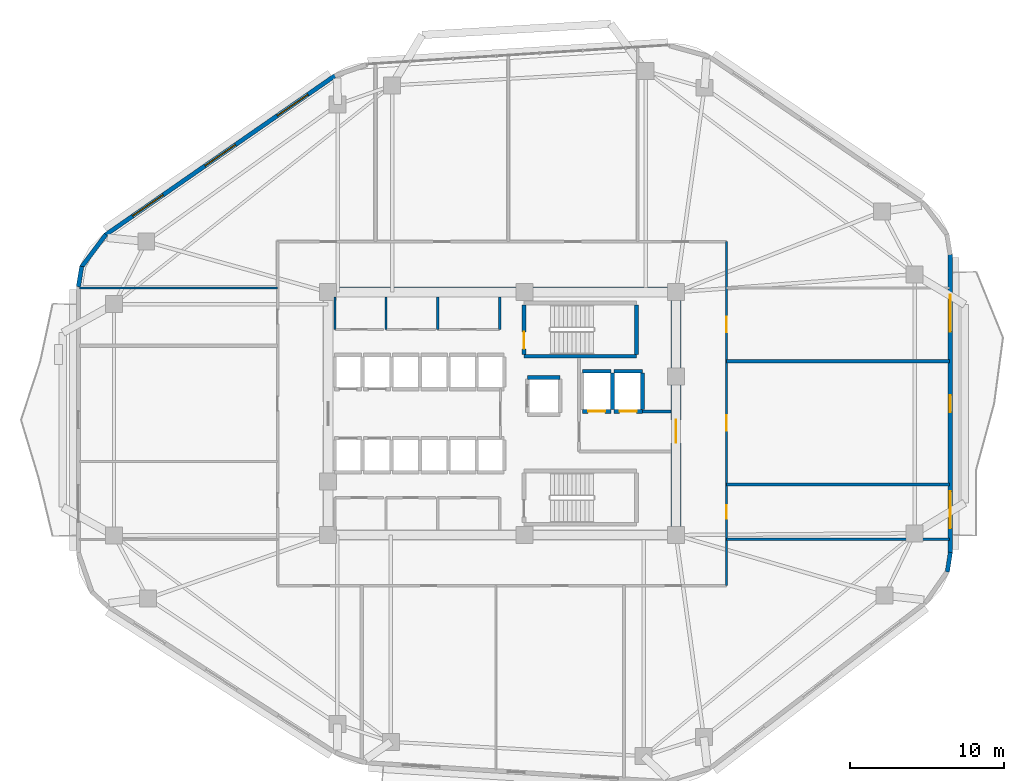
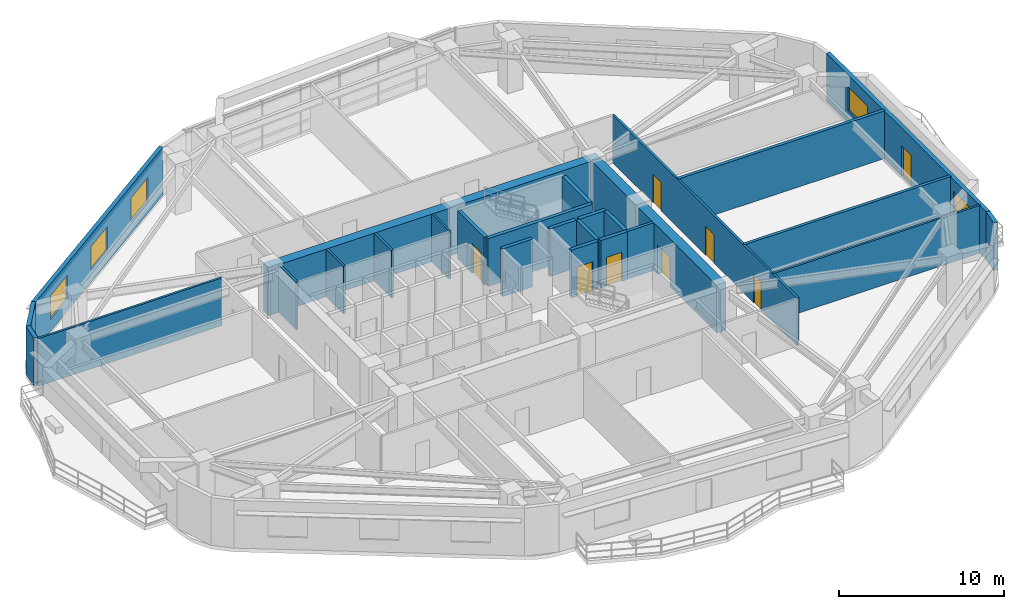
# One storey, part 9 of 13: 27 walls, 8 doors, 5 windows, 13 openings.
"""IFC4 building model written with IfcOpenShell, lengths in metres."""

from ifc_helpers import new_model, si_unit, direction, frame, frame_2d, origin, place, context, subcontext, project, spatial, rectangle, extrude, material, layer, layer_set, type_object, element, fill, save


model = new_model("IFC4")

# Units and contexts
model_context = context("Model", 3, precision=1e-05, world=origin(), true_north=direction((0.0, 1.0)))
body_context = subcontext(model_context, "Body", "Model", "MODEL_VIEW")
ifc_project = project(units=[si_unit("LENGTHUNIT", "METRE"), si_unit("AREAUNIT", "SQUARE_METRE"), si_unit("VOLUMEUNIT", "CUBIC_METRE"), si_unit("PLANEANGLEUNIT", "RADIAN"), si_unit("MASSUNIT", "GRAM", prefix="KILO")], contexts=[model_context])

# Site, building, storey
site_placement = place(None, origin())
site = spatial("IfcSite", under=ifc_project, at=site_placement, CompositionType="ELEMENT")
building_placement = place(site_placement, origin())
building = spatial("IfcBuilding", under=site, at=building_placement, Name="Zulverin Broadcast Headquarters", CompositionType="ELEMENT")
storey_placement = place(building_placement, frame((0.0, 0.0, 101.0)))
storey = spatial("IfcBuildingStorey", under=building, at=storey_placement, Name="L25", CompositionType="ELEMENT", Elevation=101.0)

# Walls
ifc_material_1 = material(Name="Acoustic drywall steel stud", Category="steel")
ifc_layer_1 = layer(ifc_material_1, 0.199951171875, Name="Acoustic drywall steel stud", Category="steel")
ifc_layer_set_1 = layer_set([ifc_layer_1], Name="Acoustic drywall steel stud")
wall_type_1 = type_object("IfcWallType", Name="WL-ACOU-200", PredefinedType="PARTITIONING", material=ifc_layer_set_1)
wall_1_placement = place(storey_placement, frame((51.550048828125, 20.60009765625, 0.0), z_axis=(0.0, 0.0, 1.0), x_axis=(1.0, 0.0, 0.0)))
element("IfcWall", 1, at=wall_1_placement, inside=storey, type_object=wall_type_1, Name="L25 Room Partition Wall RP-12", PredefinedType="PARTITIONING", context=body_context, shape_type="SweptSolid", body=[
    extrude(rectangle(XDim=14.445068359375, YDim=0.199951171875, at=frame_2d((7.22265625, 0.0))), origin(), (0.0, 0.0, 1.0), 3.52490234375),
])
ifc_material_2 = material(Name="Double-stud acoustic drywall", Category="gypsum")
ifc_layer_2 = layer(ifc_material_2, 0.219970703125, Name="Double-stud acoustic drywall", Category="gypsum")
ifc_layer_set_2 = layer_set([ifc_layer_2], Name="Double-stud acoustic drywall")
wall_type_2 = type_object("IfcWallType", Name="WL-ACOU-220", PredefinedType="PARTITIONING", material=ifc_layer_set_2)
wall_2_placement = place(storey_placement, frame((51.550048828125, 28.60009765625, 0.0), z_axis=(0.0, 0.0, 1.0), x_axis=(1.0, 0.0, 0.0)))
element("IfcWall", 2, at=wall_2_placement, inside=storey, type_object=wall_type_2, Name="L25 Room Partition Wall RP-14", PredefinedType="PARTITIONING", context=body_context, shape_type="SweptSolid", body=[
    extrude(rectangle(XDim=14.445068359375, YDim=0.219970703125, at=frame_2d((7.22265625, 0.0))), origin(), (0.0, 0.0, 1.0), 3.52490234375),
])
ifc_material_3 = material(Name="Concrete C60/75", Category="concrete")
ifc_layer_3 = layer(ifc_material_3, 0.64990234375, Name="Concrete C60/75", Category="concrete")
ifc_layer_set_3 = layer_set([ifc_layer_3], Name="Concrete C60/75")
wall_type_3 = type_object("IfcWallType", Name="WL-CORE-650", PredefinedType="SHEAR", material=ifc_layer_set_3)
wall_3_placement = place(storey_placement, frame((25.39990234375, 33.074951171875, 0.0), z_axis=(0.0, 0.0, 1.0), x_axis=(1.0, 0.0, 0.0)))
element("IfcWall", 3, at=wall_3_placement, inside=storey, type_object=wall_type_3, Name="L25 Core North Shear Wall", PredefinedType="SHEAR", context=body_context, shape_type="SweptSolid", body=[
    extrude(rectangle(XDim=23.2001953125, YDim=0.64990234375, at=frame_2d((11.60009765625, 0.0))), origin(), (0.0, 0.0, 1.0), 3.52490234375),
])

# Wall, opening, door
wall_4_placement = place(storey_placement, frame((48.27490234375, 17.64990234375, 0.0), z_axis=(0.0, 0.0, 1.0), x_axis=(0.0, 1.0, 0.0)))
wall_4 = element("IfcWall", 4, at=wall_4_placement, inside=storey, type_object=wall_type_3, Name="L25 Core East Shear Wall", PredefinedType="SHEAR", context=body_context, shape_type="SweptSolid", body=[
    extrude(rectangle(XDim=15.10009765625, YDim=0.64990234375, at=frame_2d((7.550048828125, 0.0))), origin(), (0.0, 0.0, 1.0), 3.52490234375),
])
opening_1_placement = place(wall_4_placement, frame((5.64990234375, 0.0, 0.0)))
opening_1 = element("IfcOpeningElement", 5, at=opening_1_placement, cuts=wall_4, Name="Opening D-L25-CE1", PredefinedType="OPENING", context=body_context, shape_type="SweptSolid", body=[
    extrude(rectangle(XDim=1.5, YDim=2.14990234375, at=frame_2d((0.75, 1.074951171875))), frame((0.0, 0.3349609375, 0.0), z_axis=(0.0, -1.0, 0.0), x_axis=(1.0, 0.0, 0.0)), (0.0, 0.0, 1.0), 0.669921875),
])
ifc_material_4 = material(Name="Fire-rated glazed steel frame", Category="steel")
door_type_1 = type_object("IfcDoorType", Name="DR-COR-1500", OperationType="DOUBLE_DOOR_SINGLE_SWING", PredefinedType="DOOR", material=ifc_material_4)
door_1_placement = place(opening_1_placement, origin())
door_1 = element("IfcDoor", 6, at=door_1_placement, inside=storey, type_object=door_type_1, Name="L25 Firefighting Lobby East Corridor Door", OperationType="DOUBLE_DOOR_SINGLE_SWING", OverallHeight=2.14990234375, OverallWidth=1.5, PredefinedType="DOOR", context=body_context, shape_type="SweptSolid", body=[
    extrude(rectangle(XDim=1.5, YDim=2.14990234375, at=frame_2d((0.75, 1.074951171875))), frame((0.0, 0.02490234375, 0.0), z_axis=(0.0, -1.0, 0.0), x_axis=(1.0, 0.0, 0.0)), (0.0, 0.0, 1.0), 0.050048828125),
])
fill(opening_1, door_1)

# Wall, openings, door, windows
ifc_material_5 = material(Name="Insulated pale-metal clad concrete spandrel C40/50", Category="concrete")
ifc_layer_4 = layer(ifc_material_5, 0.280029296875, Name="Insulated pale-metal clad concrete spandrel C40/50", Category="concrete")
ifc_layer_set_4 = layer_set([ifc_layer_4], Name="Insulated pale-metal clad concrete spandrel C40/50")
wall_type_4 = type_object("IfcWallType", Name="WL-EXT-280", PredefinedType="STANDARD", material=ifc_layer_set_4)
wall_5_placement = place(storey_placement, frame((66.06005859375, 16.183349609375, 0.0), z_axis=(0.0, 0.0, 1.0), x_axis=(0.0, 1.0, 0.0)))
wall_5 = element("IfcWall", 7, at=wall_5_placement, inside=storey, type_object=wall_type_4, Name="L25 Pale-Metal Clad Spandrel Wall 3", PredefinedType="STANDARD", context=body_context, shape_type="SweptSolid", body=[
    extrude(rectangle(XDim=19.3310546875, YDim=0.280029296875, at=frame_2d((9.66552734375, 0.0))), origin(), (0.0, 0.0, 1.0), 3.52490234375),
])
opening_2_placement = place(wall_5_placement, frame((9.115478515625, 0.0, 0.0)))
opening_2 = element("IfcOpeningElement", 8, at=opening_2_placement, cuts=wall_5, Name="Opening D-L25-TR3", PredefinedType="OPENING", context=body_context, shape_type="SweptSolid", body=[
    extrude(rectangle(XDim=1.10009765625, YDim=2.199951171875, at=frame_2d((0.550048828125, 1.10009765625))), frame((0.0, 0.14990234375, 0.0), z_axis=(0.0, -1.0, 0.0), x_axis=(1.0, 0.0, 0.0)), (0.0, 0.0, 1.0), 0.300048828125),
])
opening_3_placement = place(wall_5_placement, frame((1.5751953125, 0.0, 0.89990234375)))
opening_3 = element("IfcOpeningElement", 9, at=opening_3_placement, cuts=wall_5, Name="Opening W-L25-E31", PredefinedType="OPENING", context=body_context, shape_type="SweptSolid", body=[
    extrude(rectangle(XDim=2.39990234375, YDim=1.75, at=frame_2d((1.199951171875, 0.875))), frame((0.0, 0.14990234375, 0.0), z_axis=(0.0, -1.0, 0.0), x_axis=(1.0, 0.0, 0.0)), (0.0, 0.0, 1.0), 0.300048828125),
])
opening_4_placement = place(wall_5_placement, frame((14.325927734375, 0.0, 0.89990234375)))
opening_4 = element("IfcOpeningElement", 10, at=opening_4_placement, cuts=wall_5, Name="Opening W-L25-E32", PredefinedType="OPENING", context=body_context, shape_type="SweptSolid", body=[
    extrude(rectangle(XDim=2.39990234375, YDim=1.75, at=frame_2d((1.199951171875, 0.875))), frame((0.0, 0.14990234375, 0.0), z_axis=(0.0, -1.0, 0.0), x_axis=(1.0, 0.0, 0.0)), (0.0, 0.0, 1.0), 0.300048828125),
])
ifc_material_6 = material(Name="Thermally broken aluminium glazed", Category="aluminium")
door_type_2 = type_object("IfcDoorType", Name="DR-TERR-1100", OperationType="SINGLE_SWING_RIGHT", PredefinedType="DOOR", material=ifc_material_6)
door_2_placement = place(opening_2_placement, origin())
door_2 = element("IfcDoor", 11, at=door_2_placement, inside=storey, type_object=door_type_2, Name="L25 Planted Terrace Glazed Access Door 3", OperationType="SINGLE_SWING_RIGHT", OverallHeight=2.199951171875, OverallWidth=1.10009765625, PredefinedType="DOOR", context=body_context, shape_type="SweptSolid", body=[
    extrude(rectangle(XDim=1.10009765625, YDim=2.199951171875, at=frame_2d((0.550048828125, 1.10009765625))), frame((0.0, 0.02490234375, 0.0), z_axis=(0.0, -1.0, 0.0), x_axis=(1.0, 0.0, 0.0)), (0.0, 0.0, 1.0), 0.050048828125),
])
fill(opening_2, door_2)
ifc_material_7 = material(Name="Pale anodized aluminium frame with solar-control low-E double glazing", Category="aluminium")
window_type = type_object("IfcWindowType", Name="WIN-RIB-2400", PartitioningType="SINGLE_PANEL", PredefinedType="WINDOW", material=ifc_material_7)
window_1_placement = place(opening_3_placement, origin())
window_1 = element("IfcWindow", 12, at=window_1_placement, inside=storey, type_object=window_type, Name="L25 Ribbon Glazing Window 3 1", OverallHeight=1.75, OverallWidth=2.39990234375, PartitioningType="SINGLE_PANEL", PredefinedType="WINDOW", context=body_context, shape_type="SweptSolid", body=[
    extrude(rectangle(XDim=2.39990234375, YDim=1.75, at=frame_2d((1.199951171875, 0.875))), frame((0.0, 0.030029296875, 0.0), z_axis=(0.0, -1.0, 0.0), x_axis=(1.0, 0.0, 0.0)), (0.0, 0.0, 1.0), 0.06005859375),
])
fill(opening_3, window_1)
window_2_placement = place(opening_4_placement, origin())
window_2 = element("IfcWindow", 13, at=window_2_placement, inside=storey, type_object=window_type, Name="L25 Ribbon Glazing Window 3 2", OverallHeight=1.75, OverallWidth=2.39990234375, PartitioningType="SINGLE_PANEL", PredefinedType="WINDOW", context=body_context, shape_type="SweptSolid", body=[
    extrude(rectangle(XDim=2.39990234375, YDim=1.75, at=frame_2d((1.199951171875, 0.875))), frame((0.0, 0.030029296875, 0.0), z_axis=(0.0, -1.0, 0.0), x_axis=(1.0, 0.0, 0.0)), (0.0, 0.0, 1.0), 0.06005859375),
])
fill(opening_4, window_2)

# Wall, openings, windows
wall_6_placement = place(storey_placement, frame((26.181884765625, 47.11767578125, 0.0), z_axis=(0.0, 0.0, 1.0), x_axis=(-0.821547956627, -0.570139417127, 0.0)))
wall_6 = element("IfcWall", 14, at=wall_6_placement, inside=storey, type_object=wall_type_4, Name="L25 Pale-Metal Clad Spandrel Wall 6", PredefinedType="STANDARD", context=body_context, shape_type="SweptSolid", body=[
    extrude(rectangle(XDim=18.13232421875, YDim=0.280029296875, at=frame_2d((9.066162109375, 0.0))), origin(), (0.0, 0.0, 1.0), 3.52490234375),
])
opening_5_placement = place(wall_6_placement, frame((2.155517578125, 0.0, 0.89990234375)))
opening_5 = element("IfcOpeningElement", 15, at=opening_5_placement, cuts=wall_6, Name="Opening W-L25-E61", PredefinedType="OPENING", context=body_context, shape_type="SweptSolid", body=[
    extrude(rectangle(XDim=2.39990234375, YDim=1.75, at=frame_2d((1.199951171875, 0.875))), frame((0.0, 0.14990234375, 0.0), z_axis=(0.0, -1.0, 0.0), x_axis=(1.0, 0.0, 0.0)), (0.0, 0.0, 1.0), 0.300048828125),
])
opening_6_placement = place(wall_6_placement, frame((7.8662109375, 0.0, 0.89990234375)))
opening_6 = element("IfcOpeningElement", 16, at=opening_6_placement, cuts=wall_6, Name="Opening W-L25-E62", PredefinedType="OPENING", context=body_context, shape_type="SweptSolid", body=[
    extrude(rectangle(XDim=2.39990234375, YDim=1.75, at=frame_2d((1.199951171875, 0.875))), frame((0.0, 0.14990234375, 0.0), z_axis=(0.0, -1.0, 0.0), x_axis=(1.0, 0.0, 0.0)), (0.0, 0.0, 1.0), 0.300048828125),
])
opening_7_placement = place(wall_6_placement, frame((13.576904296875, 0.0, 0.89990234375)))
opening_7 = element("IfcOpeningElement", 17, at=opening_7_placement, cuts=wall_6, Name="Opening W-L25-E63", PredefinedType="OPENING", context=body_context, shape_type="SweptSolid", body=[
    extrude(rectangle(XDim=2.39990234375, YDim=1.75, at=frame_2d((1.199951171875, 0.875))), frame((0.0, 0.14990234375, 0.0), z_axis=(0.0, -1.0, 0.0), x_axis=(1.0, 0.0, 0.0)), (0.0, 0.0, 1.0), 0.300048828125),
])
window_3_placement = place(opening_5_placement, origin())
window_3 = element("IfcWindow", 18, at=window_3_placement, inside=storey, type_object=window_type, Name="L25 Ribbon Glazing Window 6 1", OverallHeight=1.75, OverallWidth=2.39990234375, PartitioningType="SINGLE_PANEL", PredefinedType="WINDOW", context=body_context, shape_type="SweptSolid", body=[
    extrude(rectangle(XDim=2.39990234375, YDim=1.75, at=frame_2d((1.199951171875, 0.875))), frame((0.0, 0.030029296875, 0.0), z_axis=(0.0, -1.0, 0.0), x_axis=(1.0, 0.0, 0.0)), (0.0, 0.0, 1.0), 0.06005859375),
])
fill(opening_5, window_3)
window_4_placement = place(opening_6_placement, origin())
window_4 = element("IfcWindow", 19, at=window_4_placement, inside=storey, type_object=window_type, Name="L25 Ribbon Glazing Window 6 2", OverallHeight=1.75, OverallWidth=2.39990234375, PartitioningType="SINGLE_PANEL", PredefinedType="WINDOW", context=body_context, shape_type="SweptSolid", body=[
    extrude(rectangle(XDim=2.39990234375, YDim=1.75, at=frame_2d((1.199951171875, 0.875))), frame((0.0, 0.030029296875, 0.0), z_axis=(0.0, -1.0, 0.0), x_axis=(1.0, 0.0, 0.0)), (0.0, 0.0, 1.0), 0.06005859375),
])
fill(opening_6, window_4)
window_5_placement = place(opening_7_placement, origin())
window_5 = element("IfcWindow", 20, at=window_5_placement, inside=storey, type_object=window_type, Name="L25 Ribbon Glazing Window 6 3", OverallHeight=1.75, OverallWidth=2.39990234375, PartitioningType="SINGLE_PANEL", PredefinedType="WINDOW", context=body_context, shape_type="SweptSolid", body=[
    extrude(rectangle(XDim=2.39990234375, YDim=1.75, at=frame_2d((1.199951171875, 0.875))), frame((0.0, 0.030029296875, 0.0), z_axis=(0.0, -1.0, 0.0), x_axis=(1.0, 0.0, 0.0)), (0.0, 0.0, 1.0), 0.06005859375),
])
fill(opening_7, window_5)

# Walls
wall_7_placement = place(storey_placement, frame((65.867431640625, 14.942626953125, 0.0), z_axis=(0.0, 0.0, 1.0), x_axis=(0.152014078361, 0.988378328364, 0.0)))
element("IfcWall", 21, at=wall_7_placement, inside=storey, type_object=wall_type_4, Name="L25 Wind-Shaped Corner Spandrel Wall 2-2", PredefinedType="STANDARD", context=body_context, shape_type="SweptSolid", body=[
    extrude(rectangle(XDim=1.27685546875, YDim=0.280029296875, at=frame_2d((0.638427734375, 0.0))), origin(), (0.0, 0.0, 1.0), 3.52490234375),
])
wall_8_placement = place(storey_placement, frame((11.317626953125, 36.81103515625, 0.0), z_axis=(0.0, 0.0, 1.0), x_axis=(-0.599455152629, -0.800408345775, 0.0)))
element("IfcWall", 22, at=wall_8_placement, inside=storey, type_object=wall_type_4, Name="L25 Wind-Shaped Corner Spandrel Wall 6-1", PredefinedType="STANDARD", context=body_context, shape_type="SweptSolid", body=[
    extrude(rectangle(XDim=2.6533203125, YDim=0.280029296875, at=frame_2d((1.32666015625, 0.0))), origin(), (0.0, 0.0, 1.0), 3.52490234375),
])
wall_9_placement = place(storey_placement, frame((9.753173828125, 34.748779296875, 0.0), z_axis=(0.0, 0.0, 1.0), x_axis=(-0.160037671962, -0.987110907423, 0.0)))
element("IfcWall", 23, at=wall_9_placement, inside=storey, type_object=wall_type_4, Name="L25 Wind-Shaped Corner Spandrel Wall 6-2", PredefinedType="STANDARD", context=body_context, shape_type="SweptSolid", body=[
    extrude(rectangle(XDim=1.343994140625, YDim=0.280029296875, at=frame_2d((0.671875, 0.0))), origin(), (0.0, 0.0, 1.0), 3.52490234375),
])
ifc_material_8 = material(Name="Concrete C40/50", Category="concrete")
ifc_layer_5 = layer(ifc_material_8, 0.199951171875, Name="Concrete C40/50", Category="concrete")
ifc_layer_set_5 = layer_set([ifc_layer_5], Name="Concrete C40/50")
wall_type_5 = type_object("IfcWallType", Name="WL-FFL-200", PredefinedType="SOLIDWALL", material=ifc_layer_set_5)
wall_10_placement = place(storey_placement, frame((46.10009765625, 25.35009765625, 0.0), z_axis=(0.0, 0.0, 1.0), x_axis=(1.0, 0.0, 0.0)))
element("IfcWall", 24, at=wall_10_placement, inside=storey, type_object=wall_type_5, Name="L25 Firefighting Lift Lobby North Wall", PredefinedType="SOLIDWALL", context=body_context, shape_type="SweptSolid", body=[
    extrude(rectangle(XDim=1.849853515625, YDim=0.199951171875, at=frame_2d((0.9248046875, 0.0))), origin(), (0.0, 0.0, 1.0), 3.52490234375),
])
ifc_material_9 = material(Name="Fire-rated gypsum stud partition", Category="gypsum")
ifc_layer_6 = layer(ifc_material_9, 0.14990234375, Name="Fire-rated gypsum stud partition", Category="gypsum")
ifc_layer_set_6 = layer_set([ifc_layer_6], Name="Fire-rated gypsum stud partition")
wall_type_6 = type_object("IfcWallType", Name="WL-PART-150", PredefinedType="PARTITIONING", material=ifc_layer_set_6)
for number, where, z_axis, x_axis, name in (
    (25, (26.169921875, 30.64990234375, 0.0), (0.0, 0.0, 1.0), (0.0, 1.0, 0.0), "L25 Core Male WC West Wall"),
    (26, (29.47998046875, 30.64990234375, 0.0), (0.0, 0.0, 1.0), (0.0, 1.0, 0.0), "L25 Core Accessible WC West Wall"),
    (27, (32.830078125, 30.64990234375, 0.0), (0.0, 0.0, 1.0), (0.0, 1.0, 0.0), "L25 Core Electrical Distribution Riser West Wall"),
    (28, (36.85009765625, 30.64990234375, 0.0), (0.0, 0.0, 1.0), (0.0, 1.0, 0.0), "L25 Core Electrical Distribution Riser East Wall"),
):
    element("IfcWall", number, at=place(storey_placement, frame(where, z_axis=z_axis, x_axis=x_axis)), inside=storey, type_object=wall_type_6, Name=name, PredefinedType="PARTITIONING", context=body_context, shape_type="SweptSolid", body=[
        extrude(rectangle(XDim=2.10009765625, YDim=0.14990234375, at=frame_2d((1.050048828125, 0.0))), origin(), (0.0, 0.0, 1.0), 3.52490234375),
    ])

# Wall, openings, doors
wall_11_placement = place(storey_placement, frame((51.550048828125, 14.050048828125, 0.0), z_axis=(0.0, 0.0, 1.0), x_axis=(0.0, 1.0, 0.0)))
wall_11 = element("IfcWall", 29, at=wall_11_placement, inside=storey, type_object=wall_type_6, Name="L25 Gallery Partition Wall CG-01", PredefinedType="PARTITIONING", context=body_context, shape_type="SweptSolid", body=[
    extrude(rectangle(XDim=22.300048828125, YDim=0.14990234375, at=frame_2d((11.14990234375, 0.0))), origin(), (0.0, 0.0, 1.0), 3.52490234375),
])
opening_8_placement = place(wall_11_placement, frame((4.324951171875, 0.0, 0.0)))
opening_8 = element("IfcOpeningElement", 30, at=opening_8_placement, cuts=wall_11, Name="Opening D-L25-12", PredefinedType="OPENING", context=body_context, shape_type="SweptSolid", body=[
    extrude(rectangle(XDim=0.89990234375, YDim=2.10009765625, at=frame_2d((0.449951171875, 1.050048828125))), frame((0.0, 0.0849609375, 0.0), z_axis=(0.0, -1.0, 0.0), x_axis=(1.0, 0.0, 0.0)), (0.0, 0.0, 1.0), 0.169921875),
])
opening_9_placement = place(wall_11_placement, frame((10.050048828125, 0.0, 0.0)))
opening_9 = element("IfcOpeningElement", 31, at=opening_9_placement, cuts=wall_11, Name="Opening D-L25-13", PredefinedType="OPENING", context=body_context, shape_type="SweptSolid", body=[
    extrude(rectangle(XDim=1.0, YDim=2.1201171875, at=frame_2d((0.5, 1.06005859375))), frame((0.0, 0.0849609375, 0.0), z_axis=(0.0, -1.0, 0.0), x_axis=(1.0, 0.0, 0.0)), (0.0, 0.0, 1.0), 0.169921875),
])
opening_10_placement = place(wall_11_placement, frame((16.425048828125, 0.0, 0.0)))
opening_10 = element("IfcOpeningElement", 32, at=opening_10_placement, cuts=wall_11, Name="Opening D-L25-14", PredefinedType="OPENING", context=body_context, shape_type="SweptSolid", body=[
    extrude(rectangle(XDim=1.0, YDim=2.1201171875, at=frame_2d((0.5, 1.06005859375))), frame((0.0, 0.0849609375, 0.0), z_axis=(0.0, -1.0, 0.0), x_axis=(1.0, 0.0, 0.0)), (0.0, 0.0, 1.0), 0.169921875),
])
ifc_material_10 = material(Name="Hardwood veneer acoustic leaf", Category="wood")
door_type_3 = type_object("IfcDoorType", Name="DR-OFF-1000", OperationType="SINGLE_SWING_LEFT", PredefinedType="DOOR", material=ifc_material_10)
door_3_placement = place(opening_9_placement, origin())
door_3 = element("IfcDoor", 33, at=door_3_placement, inside=storey, type_object=door_type_3, Name="L25 Sports Broadcast Workplace Door", OperationType="SINGLE_SWING_RIGHT", OverallHeight=2.1201171875, OverallWidth=1.0, PredefinedType="DOOR", context=body_context, shape_type="SweptSolid", body=[
    extrude(rectangle(XDim=1.0, YDim=2.1201171875, at=frame_2d((0.5, 1.06005859375))), frame((0.0, 0.02490234375, 0.0), z_axis=(0.0, -1.0, 0.0), x_axis=(1.0, 0.0, 0.0)), (0.0, 0.0, 1.0), 0.050048828125),
])
fill(opening_9, door_3)
door_4_placement = place(opening_10_placement, origin())
door_4 = element("IfcDoor", 34, at=door_4_placement, inside=storey, type_object=door_type_3, Name="L25 Live Replay Office Door", OperationType="SINGLE_SWING_LEFT", OverallHeight=2.1201171875, OverallWidth=1.0, PredefinedType="DOOR", context=body_context, shape_type="SweptSolid", body=[
    extrude(rectangle(XDim=1.0, YDim=2.1201171875, at=frame_2d((0.5, 1.06005859375))), frame((0.0, 0.02490234375, 0.0), z_axis=(0.0, -1.0, 0.0), x_axis=(1.0, 0.0, 0.0)), (0.0, 0.0, 1.0), 0.050048828125),
])
fill(opening_10, door_4)
ifc_material_11 = material(Name="Fire-rated hardwood veneer timber leaf", Category="wood")
door_type_4 = type_object("IfcDoorType", Name="DR-ROOM-900", OperationType="SINGLE_SWING_RIGHT", PredefinedType="DOOR", material=ifc_material_11)
door_5_placement = place(opening_8_placement, origin())
door_5 = element("IfcDoor", 35, at=door_5_placement, inside=storey, type_object=door_type_4, Name="L25 Guest Reception Door", OperationType="SINGLE_SWING_LEFT", OverallHeight=2.10009765625, OverallWidth=0.89990234375, PredefinedType="DOOR", context=body_context, shape_type="SweptSolid", body=[
    extrude(rectangle(XDim=0.89990234375, YDim=2.10009765625, at=frame_2d((0.449951171875, 1.050048828125))), frame((0.0, 0.02490234375, 0.0), z_axis=(0.0, -1.0, 0.0), x_axis=(1.0, 0.0, 0.0)), (0.0, 0.0, 1.0), 0.050048828125),
])
fill(opening_8, door_5)

# Walls
wall_12_placement = place(storey_placement, frame((51.550048828125, 17.050048828125, 0.0), z_axis=(0.0, 0.0, 1.0), x_axis=(1.0, 0.0, 0.0)))
element("IfcWall", 36, at=wall_12_placement, inside=storey, type_object=wall_type_6, Name="L25 Room Partition Wall RP-11", PredefinedType="PARTITIONING", context=body_context, shape_type="SweptSolid", body=[
    extrude(rectangle(XDim=14.445068359375, YDim=0.14990234375, at=frame_2d((7.22265625, 0.0))), origin(), (0.0, 0.0, 1.0), 3.52490234375),
])
wall_13_placement = place(storey_placement, frame((9.60498046875, 33.35009765625, 0.0), z_axis=(0.0, 0.0, 1.0), x_axis=(1.0, 0.0, 0.0)))
element("IfcWall", 37, at=wall_13_placement, inside=storey, type_object=wall_type_6, Name="L25 Room Partition Wall RP-16", PredefinedType="PARTITIONING", context=body_context, shape_type="SweptSolid", body=[
    extrude(rectangle(XDim=12.844970703125, YDim=0.14990234375, at=frame_2d((6.42236328125, 0.0))), origin(), (0.0, 0.0, 1.0), 3.52490234375),
])
ifc_material_12 = material(Name="Concrete C50/60", Category="concrete")
ifc_layer_7 = layer(ifc_material_12, 0.25, Name="Concrete C50/60", Category="concrete")
ifc_layer_set_7 = layer_set([ifc_layer_7], Name="Concrete C50/60")
wall_type_7 = type_object("IfcWallType", Name="WL-SHAFT-250", PredefinedType="SHEAR", material=ifc_layer_set_7)
wall_14_placement = place(storey_placement, frame((38.425048828125, 28.925048828125, 0.0), z_axis=(0.0, 0.0, 1.0), x_axis=(1.0, 0.0, 0.0)))
element("IfcWall", 38, at=wall_14_placement, inside=storey, type_object=wall_type_7, Name="L25 ST-1 Enclosure Wall S", PredefinedType="SHEAR", context=body_context, shape_type="SweptSolid", body=[
    extrude(rectangle(XDim=7.300048828125, YDim=0.25, at=frame_2d((3.64990234375, 0.0))), origin(), (0.0, 0.0, 1.0), 3.52490234375),
])

# Wall, opening, door
wall_15_placement = place(storey_placement, frame((38.425048828125, 29.050048828125, 0.0), z_axis=(0.0, 0.0, 1.0), x_axis=(0.0, 1.0, 0.0)))
wall_15 = element("IfcWall", 39, at=wall_15_placement, inside=storey, type_object=wall_type_7, Name="L25 ST-1 Enclosure Wall W", PredefinedType="SHEAR", context=body_context, shape_type="SweptSolid", body=[
    extrude(rectangle(XDim=3.199951171875, YDim=0.25, at=frame_2d((1.60009765625, 0.0))), origin(), (0.0, 0.0, 1.0), 3.52490234375),
])
opening_11_placement = place(wall_15_placement, frame((0.35009765625, 0.0, 0.0)))
opening_11 = element("IfcOpeningElement", 40, at=opening_11_placement, cuts=wall_15, Name="Opening D-L25-ST-1", PredefinedType="OPENING", context=body_context, shape_type="SweptSolid", body=[
    extrude(rectangle(XDim=1.10009765625, YDim=2.14990234375, at=frame_2d((0.550048828125, 1.074951171875))), frame((0.0, 0.135009765625, 0.0), z_axis=(0.0, -1.0, 0.0), x_axis=(1.0, 0.0, 0.0)), (0.0, 0.0, 1.0), 0.27001953125),
])
ifc_material_13 = material(Name="Fire-rated steel leaf and frame", Category="steel")
door_type_5 = type_object("IfcDoorType", Name="DR-STAIR-1100", OperationType="SINGLE_SWING_LEFT", PredefinedType="DOOR", material=ifc_material_13)
door_6_placement = place(opening_11_placement, origin())
door_6 = element("IfcDoor", 41, at=door_6_placement, inside=storey, type_object=door_type_5, Name="L25 Exit Stair ST-1 Fire Door", OperationType="SINGLE_SWING_LEFT", OverallHeight=2.14990234375, OverallWidth=1.10009765625, PredefinedType="DOOR", context=body_context, shape_type="SweptSolid", body=[
    extrude(rectangle(XDim=1.10009765625, YDim=2.14990234375, at=frame_2d((0.550048828125, 1.074951171875))), frame((0.0, 0.02490234375, 0.0), z_axis=(0.0, -1.0, 0.0), x_axis=(1.0, 0.0, 0.0)), (0.0, 0.0, 1.0), 0.050048828125),
])
fill(opening_11, door_6)

# Wall
wall_16_placement = place(storey_placement, frame((45.72509765625, 29.050048828125, 0.0), z_axis=(0.0, 0.0, 1.0), x_axis=(0.0, 1.0, 0.0)))
element("IfcWall", 42, at=wall_16_placement, inside=storey, type_object=wall_type_7, Name="L25 ST-1 Enclosure Wall E", PredefinedType="SHEAR", context=body_context, shape_type="SweptSolid", body=[
    extrude(rectangle(XDim=3.199951171875, YDim=0.25, at=frame_2d((1.60009765625, 0.0))), origin(), (0.0, 0.0, 1.0), 3.52490234375),
])

# Wall, opening, door
wall_17_placement = place(storey_placement, frame((42.199951171875, 25.35009765625, 0.0), z_axis=(0.0, 0.0, 1.0), x_axis=(1.0, 0.0, 0.0)))
wall_17 = element("IfcWall", 43, at=wall_17_placement, inside=storey, type_object=wall_type_7, Name="L25 Lift FFL-1 Shaft Wall S", PredefinedType="SHEAR", context=body_context, shape_type="SweptSolid", body=[
    extrude(rectangle(XDim=1.85009765625, YDim=0.25, at=frame_2d((0.925048828125, 0.0))), origin(), (0.0, 0.0, 1.0), 3.52490234375),
])
opening_12_placement = place(wall_17_placement, frame((0.375, 0.0, 0.0)))
opening_12 = element("IfcOpeningElement", 44, at=opening_12_placement, cuts=wall_17, Name="Opening LD-FFL-1-L25", PredefinedType="OPENING", context=body_context, shape_type="SweptSolid", body=[
    extrude(rectangle(XDim=1.10009765625, YDim=2.14990234375, at=frame_2d((0.550048828125, 1.074951171875))), frame((0.0, 0.135009765625, 0.0), z_axis=(0.0, -1.0, 0.0), x_axis=(1.0, 0.0, 0.0)), (0.0, 0.0, 1.0), 0.27001953125),
])
ifc_material_14 = material(Name="Fire-rated stainless landing door", Category="steel")
door_type_6 = type_object("IfcDoorType", Name="LD-FFL-1100", OperationType="DOUBLE_DOOR_SLIDING", PredefinedType="DOOR", material=ifc_material_14)
door_7_placement = place(opening_12_placement, origin())
door_7 = element("IfcDoor", 45, at=door_7_placement, inside=storey, type_object=door_type_6, Name="L25 Lift FFL-1 Sliding Landing Door", OperationType="DOUBLE_DOOR_SLIDING", OverallHeight=2.14990234375, OverallWidth=1.10009765625, PredefinedType="DOOR", context=body_context, shape_type="SweptSolid", body=[
    extrude(rectangle(XDim=1.10009765625, YDim=2.14990234375, at=frame_2d((0.550048828125, 1.074951171875))), frame((0.0, 0.02490234375, 0.0), z_axis=(0.0, -1.0, 0.0), x_axis=(1.0, 0.0, 0.0)), (0.0, 0.0, 1.0), 0.050048828125),
])
fill(opening_12, door_7)

# Walls
wall_18_placement = place(storey_placement, frame((42.199951171875, 27.949951171875, 0.0), z_axis=(0.0, 0.0, 1.0), x_axis=(1.0, 0.0, 0.0)))
element("IfcWall", 46, at=wall_18_placement, inside=storey, type_object=wall_type_7, Name="L25 Lift FFL-1 Shaft Wall N", PredefinedType="SHEAR", context=body_context, shape_type="SweptSolid", body=[
    extrude(rectangle(XDim=1.85009765625, YDim=0.25, at=frame_2d((0.925048828125, 0.0))), origin(), (0.0, 0.0, 1.0), 3.52490234375),
])
wall_19_placement = place(storey_placement, frame((44.14990234375, 25.469970703125, 0.0), z_axis=(0.0, 0.0, 1.0), x_axis=(0.0, 1.0, 0.0)))
element("IfcWall", 47, at=wall_19_placement, inside=storey, type_object=wall_type_7, Name="L25 Lift FFL-1 Shaft Wall E", PredefinedType="SHEAR", context=body_context, shape_type="SweptSolid", body=[
    extrude(rectangle(XDim=2.360107421875, YDim=0.25, at=frame_2d((1.18017578125, 0.0))), origin(), (0.0, 0.0, 1.0), 3.52490234375),
])

# Wall, opening, door
wall_20_placement = place(storey_placement, frame((44.25, 25.35009765625, 0.0), z_axis=(0.0, 0.0, 1.0), x_axis=(1.0, 0.0, 0.0)))
wall_20 = element("IfcWall", 48, at=wall_20_placement, inside=storey, type_object=wall_type_7, Name="L25 Lift FFL-2 Shaft Wall S", PredefinedType="SHEAR", context=body_context, shape_type="SweptSolid", body=[
    extrude(rectangle(XDim=1.85009765625, YDim=0.25, at=frame_2d((0.925048828125, 0.0))), origin(), (0.0, 0.0, 1.0), 3.52490234375),
])
opening_13_placement = place(wall_20_placement, frame((0.375, 0.0, 0.0)))
opening_13 = element("IfcOpeningElement", 49, at=opening_13_placement, cuts=wall_20, Name="Opening LD-FFL-2-L25", PredefinedType="OPENING", context=body_context, shape_type="SweptSolid", body=[
    extrude(rectangle(XDim=1.10009765625, YDim=2.14990234375, at=frame_2d((0.550048828125, 1.074951171875))), frame((0.0, 0.135009765625, 0.0), z_axis=(0.0, -1.0, 0.0), x_axis=(1.0, 0.0, 0.0)), (0.0, 0.0, 1.0), 0.27001953125),
])
door_8_placement = place(opening_13_placement, origin())
door_8 = element("IfcDoor", 50, at=door_8_placement, inside=storey, type_object=door_type_6, Name="L25 Lift FFL-2 Sliding Landing Door", OperationType="DOUBLE_DOOR_SLIDING", OverallHeight=2.14990234375, OverallWidth=1.10009765625, PredefinedType="DOOR", context=body_context, shape_type="SweptSolid", body=[
    extrude(rectangle(XDim=1.10009765625, YDim=2.14990234375, at=frame_2d((0.550048828125, 1.074951171875))), frame((0.0, 0.02490234375, 0.0), z_axis=(0.0, -1.0, 0.0), x_axis=(1.0, 0.0, 0.0)), (0.0, 0.0, 1.0), 0.050048828125),
])
fill(opening_13, door_8)

# Walls
wall_21_placement = place(storey_placement, frame((44.25, 27.949951171875, 0.0), z_axis=(0.0, 0.0, 1.0), x_axis=(1.0, 0.0, 0.0)))
element("IfcWall", 51, at=wall_21_placement, inside=storey, type_object=wall_type_7, Name="L25 Lift FFL-2 Shaft Wall N", PredefinedType="SHEAR", context=body_context, shape_type="SweptSolid", body=[
    extrude(rectangle(XDim=1.85009765625, YDim=0.25, at=frame_2d((0.925048828125, 0.0))), origin(), (0.0, 0.0, 1.0), 3.52490234375),
])
wall_22_placement = place(storey_placement, frame((46.10009765625, 25.469970703125, 0.0), z_axis=(0.0, 0.0, 1.0), x_axis=(0.0, 1.0, 0.0)))
element("IfcWall", 52, at=wall_22_placement, inside=storey, type_object=wall_type_7, Name="L25 Lift FFL-2 Shaft Wall E", PredefinedType="SHEAR", context=body_context, shape_type="SweptSolid", body=[
    extrude(rectangle(XDim=2.360107421875, YDim=0.25, at=frame_2d((1.18017578125, 0.0))), origin(), (0.0, 0.0, 1.0), 3.52490234375),
])
wall_23_placement = place(storey_placement, frame((38.64990234375, 27.550048828125, 0.0), z_axis=(0.0, 0.0, 1.0), x_axis=(1.0, 0.0, 0.0)))
element("IfcWall", 53, at=wall_23_placement, inside=storey, type_object=wall_type_7, Name="L25 Lift SVL-1 Shaft Wall N", PredefinedType="SHEAR", context=body_context, shape_type="SweptSolid", body=[
    extrude(rectangle(XDim=2.10009765625, YDim=0.25, at=frame_2d((1.050048828125, 0.0))), origin(), (0.0, 0.0, 1.0), 3.52490234375),
])

save(model, "model.ifc")
